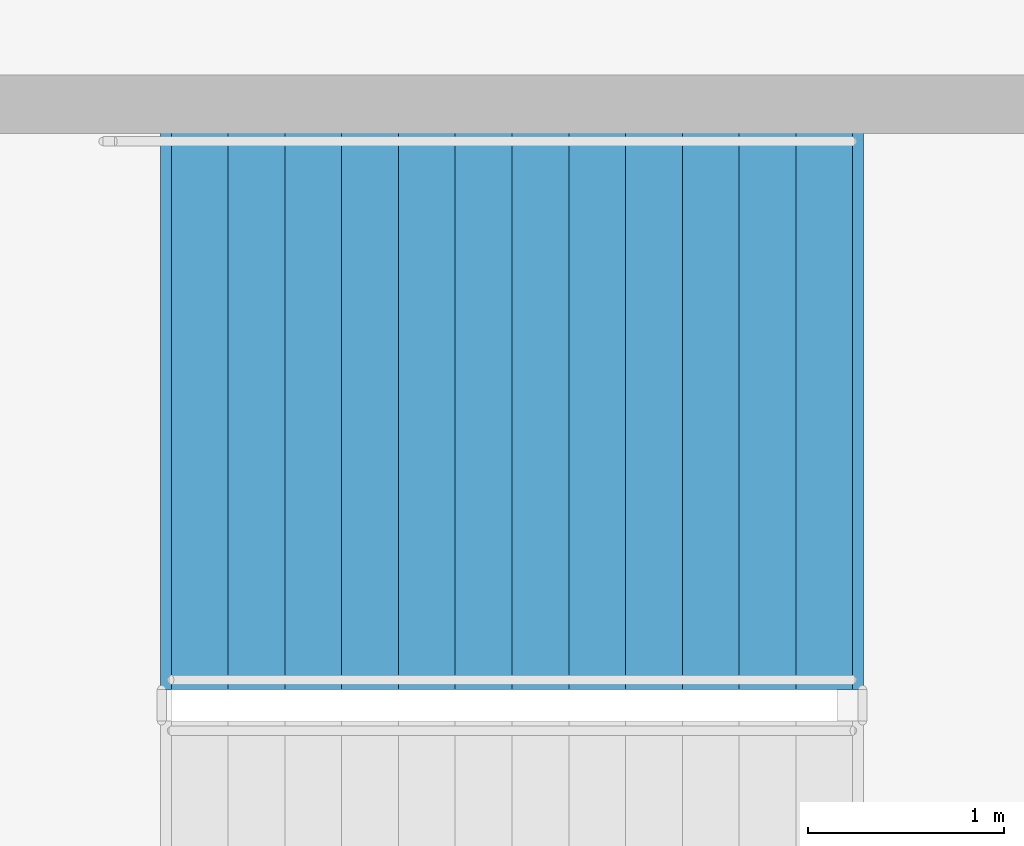
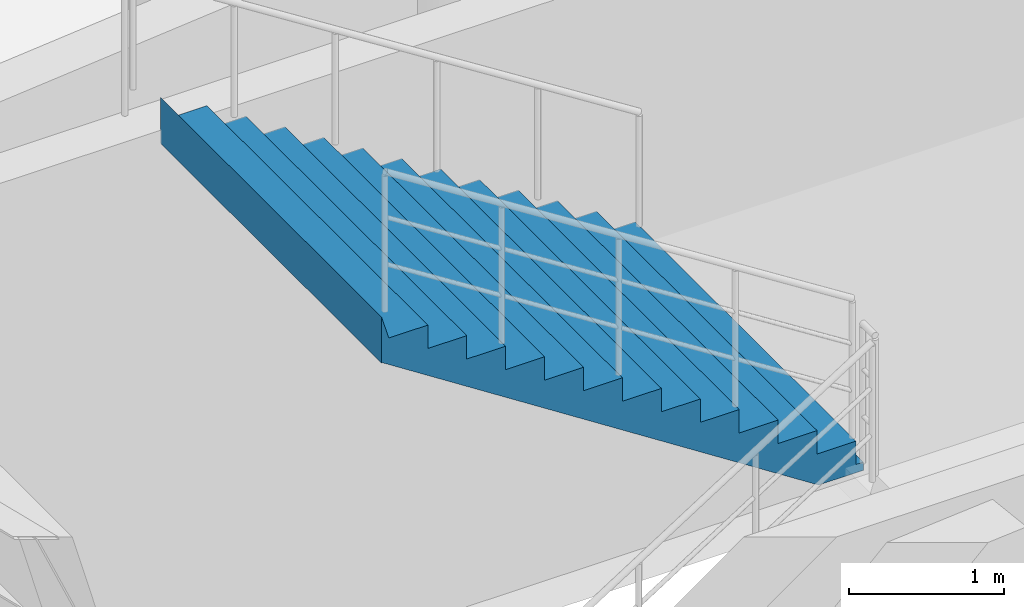
# One storey, part 121 of 144: 1 stair flight, 1 element without a shape of its own.
"""IFC4 building model written with IfcOpenShell, lengths in metres."""

from ifc_helpers import new_model, si_unit, direction, frame, origin, place, context, subcontext, project, spatial, polyline, outline, extrude, material, type_object, element, aggregate, save


model = new_model("IFC4")

# Units and contexts
model_context = context("Model", 3, precision=1e-05, world=origin(), true_north=direction((0.0, 1.0)))
body_context = subcontext(model_context, "Body", "Model", "MODEL_VIEW")
ifc_project = project(units=[si_unit("LENGTHUNIT", "METRE"), si_unit("AREAUNIT", "SQUARE_METRE"), si_unit("VOLUMEUNIT", "CUBIC_METRE"), si_unit("PLANEANGLEUNIT", "RADIAN"), si_unit("MASSUNIT", "GRAM", prefix="KILO")], contexts=[model_context])

# Site, building, storey
site_placement = place(None, origin())
site = spatial("IfcSite", under=ifc_project, at=site_placement, CompositionType="ELEMENT")
building_placement = place(site_placement, origin())
building = spatial("IfcBuilding", under=site, at=building_placement, Name="Cinderbank Siding Concert Hall", CompositionType="ELEMENT")
storey_placement = place(building_placement, frame((0.0, 0.0, 5.39990234375)))
storey = spatial("IfcBuildingStorey", under=building, at=storey_placement, Name="L02", CompositionType="ELEMENT", Elevation=5.39990234375)

# Stair, stair flight
ifc_material = material(Name="Reinforced concrete AS 3600 N50 (50 MPa)", Category="concrete")
stair_type = type_object("IfcStairType", Name="STR-J Dogleg Exit Stair 2850mm", PredefinedType="HALF_TURN_STAIR", material=ifc_material)
stair_placement = place(storey_placement, origin())
stair = element("IfcStair", 1, at=stair_placement, inside=storey, type_object=stair_type, Name="L02 Fire-isolated Exit Stair ST-01", PredefinedType="HALF_TURN_STAIR")
stair_flight_type = type_object("IfcStairFlightType", Name="SFL-J Concrete Stair Flight 2850mm", PredefinedType="STRAIGHT", material=ifc_material)
stair_flight_placement = place(storey_placement, frame((122.6298828125, 63.18505859375, 2.400146484375), z_axis=(0.0, 0.0, 1.0), x_axis=(-1.0, 0.0, 0.0)))
stair_flight = element("IfcStairFlight", 2, at=stair_flight_placement, type_object=stair_flight_type, Name="ST-01 flight 2", NumberOfRisers=13, NumberOfTreads=12, PredefinedType="STRAIGHT", RiserHeight=0.184615385, TreadLength=0.29, context=body_context, shape_type="SweptSolid", body=[
    extrude(outline(polyline([(0.0, 0.0), (0.0, 0.1845703125), (0.2900390625, 0.1845703125), (0.2900390625, 0.369140625), (0.580078125, 0.369140625), (0.580078125, 0.553955078125), (0.8701171875, 0.553955078125), (0.8701171875, 0.738525390625), (1.159912109375, 0.738525390625), (1.159912109375, 0.923095703125), (1.449951171875, 0.923095703125), (1.449951171875, 1.107666015625), (1.739990234375, 1.107666015625), (1.739990234375, 1.292236328125), (2.030029296875, 1.292236328125), (2.030029296875, 1.476806640625), (2.320068359375, 1.476806640625), (2.320068359375, 1.66162109375), (2.610107421875, 1.66162109375), (2.610107421875, 1.84619140625), (2.89990234375, 1.84619140625), (2.89990234375, 2.03076171875), (3.18994140625, 2.03076171875), (3.18994140625, 2.21533203125), (3.47998046875, 2.21533203125), (3.534912109375, 2.39990234375), (3.534912109375, 2.03759765625), (3.53466796875, 2.037841796875), (3.53466796875, 2.0380859375), (3.53466796875, 2.038330078125), (3.53466796875, 2.03857421875), (3.53466796875, 2.038818359375), (3.53466796875, 2.0390625), (3.53466796875, 2.039306640625), (3.53466796875, 2.03955078125), (3.53466796875, 2.039794921875), (3.53466796875, 2.0400390625), (3.53466796875, 2.040283203125), (3.53466796875, 2.04052734375), (3.534423828125, 2.04052734375), (3.534423828125, 2.040283203125), (3.534423828125, 2.0400390625), (3.534423828125, 2.039794921875), (3.534423828125, 2.03955078125), (3.534423828125, 2.039306640625), (3.534423828125, 2.0390625), (3.534423828125, 2.038818359375), (3.534423828125, 2.03857421875), (3.534423828125, 2.038330078125), (3.534423828125, 2.0380859375), (3.534423828125, 2.037841796875), (3.534423828125, 2.03759765625), (3.5341796875, 2.037841796875), (3.5341796875, 2.0380859375), (3.5341796875, 2.038330078125), (3.5341796875, 2.03857421875), (3.5341796875, 2.038818359375), (3.5341796875, 2.0390625), (3.5341796875, 2.039306640625), (3.5341796875, 2.03955078125), (3.5341796875, 2.039794921875), (3.5341796875, 2.0400390625), (3.5341796875, 2.040283203125), (3.5341796875, 2.04052734375), (3.533935546875, 2.04052734375), (3.533935546875, 2.040283203125), (3.533935546875, 2.0400390625), (3.533935546875, 2.039794921875), (3.533935546875, 2.03955078125), (3.533935546875, 2.039306640625), (3.533935546875, 2.0390625), (3.533935546875, 2.038818359375), (3.533935546875, 2.03857421875), (3.533935546875, 2.038330078125), (3.533935546875, 2.0380859375), (3.533935546875, 2.037841796875), (3.533935546875, 2.03759765625), (3.53369140625, 2.037841796875), (3.53369140625, 2.0380859375), (3.53369140625, 2.038330078125), (3.53369140625, 2.03857421875), (3.53369140625, 2.038818359375), (3.53369140625, 2.0390625), (3.53369140625, 2.039306640625), (3.53369140625, 2.03955078125), (3.53369140625, 2.039794921875), (3.53369140625, 2.0400390625), (3.53369140625, 2.040283203125), (3.53369140625, 2.04052734375), (3.533447265625, 2.04052734375), (3.533447265625, 2.040283203125), (3.533447265625, 2.0400390625), (3.533447265625, 2.039794921875), (3.533447265625, 2.03955078125), (3.533447265625, 2.039306640625), (3.533447265625, 2.0390625), (3.533447265625, 2.038818359375), (3.533447265625, 2.03857421875), (3.533447265625, 2.038330078125), (3.533447265625, 2.0380859375), (3.533447265625, 2.037841796875), (3.533447265625, 2.03759765625), (3.533203125, 2.037841796875), (3.533203125, 2.0380859375), (3.533203125, 2.038330078125), (3.533203125, 2.03857421875), (3.533203125, 2.038818359375), (3.533203125, 2.0390625), (3.533203125, 2.039306640625), (3.533203125, 2.03955078125), (3.533203125, 2.039794921875), (3.533203125, 2.0400390625), (3.533203125, 2.040283203125), (3.533203125, 2.04052734375), (3.532958984375, 2.04052734375), (3.532958984375, 2.040283203125), (3.532958984375, 2.0400390625), (3.532958984375, 2.039794921875), (3.532958984375, 2.03955078125), (3.532958984375, 2.039306640625), (3.532958984375, 2.0390625), (3.532958984375, 2.038818359375), (3.532958984375, 2.03857421875), (3.532958984375, 2.038330078125), (3.532958984375, 2.0380859375), (3.532958984375, 2.037841796875), (3.532958984375, 2.03759765625), (3.53271484375, 2.037841796875), (3.53271484375, 2.0380859375), (3.53271484375, 2.038330078125), (3.53271484375, 2.03857421875), (3.53271484375, 2.038818359375), (3.53271484375, 2.0390625), (3.53271484375, 2.039306640625), (3.53271484375, 2.03955078125), (3.53271484375, 2.039794921875), (3.53271484375, 2.0400390625), (3.53271484375, 2.040283203125), (3.53271484375, 2.04052734375), (3.532470703125, 2.04052734375), (3.532470703125, 2.040283203125), (3.532470703125, 2.0400390625), (3.532470703125, 2.039794921875), (3.532470703125, 2.03955078125), (3.532470703125, 2.039306640625), (3.532470703125, 2.0390625), (3.532470703125, 2.038818359375), (3.532470703125, 2.03857421875), (3.532470703125, 2.038330078125), (3.532470703125, 2.0380859375), (3.532470703125, 2.037841796875), (3.532470703125, 2.03759765625), (3.5322265625, 2.037841796875), (3.5322265625, 2.0380859375), (3.5322265625, 2.038330078125), (3.5322265625, 2.03857421875), (3.5322265625, 2.038818359375), (3.5322265625, 2.0390625), (3.5322265625, 2.039306640625), (3.5322265625, 2.03955078125), (3.5322265625, 2.039794921875), (3.5322265625, 2.0400390625), (3.5322265625, 2.040283203125), (3.5322265625, 2.04052734375), (3.531982421875, 2.04052734375), (3.531982421875, 2.040283203125), (3.531982421875, 2.0400390625), (3.531982421875, 2.039794921875), (3.531982421875, 2.03955078125), (3.531982421875, 2.039306640625), (3.531982421875, 2.0390625), (3.531982421875, 2.038818359375), (3.531982421875, 2.03857421875), (3.531982421875, 2.038330078125), (3.531982421875, 2.0380859375), (3.531982421875, 2.037841796875), (3.531982421875, 2.03759765625), (3.53173828125, 2.037841796875), (3.53173828125, 2.0380859375), (3.53173828125, 2.038330078125), (3.53173828125, 2.03857421875), (3.53173828125, 2.038818359375), (3.53173828125, 2.0390625), (3.53173828125, 2.039306640625), (3.53173828125, 2.03955078125), (3.53173828125, 2.039794921875), (3.53173828125, 2.0400390625), (3.53173828125, 2.040283203125), (3.53173828125, 2.04052734375), (3.531494140625, 2.04052734375), (3.531494140625, 2.040283203125), (3.531494140625, 2.0400390625), (3.531494140625, 2.039794921875), (3.531494140625, 2.03955078125), (3.531494140625, 2.039306640625), (3.531494140625, 2.0390625), (3.531494140625, 2.038818359375), (3.531494140625, 2.03857421875), (3.531494140625, 2.038330078125), (3.531494140625, 2.0380859375), (3.531494140625, 2.037841796875), (3.531494140625, 2.03759765625), (3.53125, 2.037841796875), (3.53125, 2.0380859375), (3.53125, 2.038330078125), (3.53125, 2.03857421875), (3.53125, 2.038818359375), (3.53125, 2.0390625), (3.53125, 2.039306640625), (3.53125, 2.03955078125), (3.53125, 2.039794921875), (3.53125, 2.0400390625), (3.53125, 2.040283203125), (3.53125, 2.04052734375), (3.531005859375, 2.04052734375), (3.531005859375, 2.040283203125), (3.531005859375, 2.0400390625), (3.531005859375, 2.039794921875), (3.531005859375, 2.03955078125), (3.531005859375, 2.039306640625), (3.531005859375, 2.0390625), (3.531005859375, 2.038818359375), (3.531005859375, 2.03857421875), (3.531005859375, 2.038330078125), (3.531005859375, 2.0380859375), (3.531005859375, 2.037841796875), (3.531005859375, 2.03759765625), (3.53076171875, 2.037841796875), (3.53076171875, 2.0380859375), (3.53076171875, 2.038330078125), (3.53076171875, 2.03857421875), (3.53076171875, 2.038818359375), (3.53076171875, 2.0390625), (3.53076171875, 2.039306640625), (3.53076171875, 2.03955078125), (3.53076171875, 2.039794921875), (3.53076171875, 2.0400390625), (3.53076171875, 2.040283203125), (3.53076171875, 2.04052734375), (3.530517578125, 2.04052734375), (3.530517578125, 2.040283203125), (3.530517578125, 2.0400390625), (3.530517578125, 2.039794921875), (3.530517578125, 2.03955078125), (3.530517578125, 2.039306640625), (3.530517578125, 2.0390625), (3.530517578125, 2.038818359375), (3.530517578125, 2.03857421875), (3.530517578125, 2.038330078125), (3.530517578125, 2.0380859375), (3.530517578125, 2.037841796875), (3.530517578125, 2.03759765625), (3.5302734375, 2.037841796875), (3.5302734375, 2.0380859375), (3.5302734375, 2.038330078125), (3.5302734375, 2.03857421875), (3.5302734375, 2.038818359375), (3.5302734375, 2.0390625), (3.5302734375, 2.039306640625), (3.5302734375, 2.03955078125), (3.5302734375, 2.039794921875), (3.5302734375, 2.0400390625), (3.5302734375, 2.040283203125), (3.5302734375, 2.04052734375), (3.530029296875, 2.04052734375), (3.530029296875, 2.040283203125), (3.530029296875, 2.0400390625), (3.530029296875, 2.039794921875), (3.530029296875, 2.03955078125), (3.530029296875, 2.039306640625), (3.530029296875, 2.0390625), (3.530029296875, 2.038818359375), (3.530029296875, 2.03857421875), (3.530029296875, 2.038330078125), (3.530029296875, 2.0380859375), (3.530029296875, 2.037841796875), (3.530029296875, 2.03759765625), (3.52978515625, 2.037841796875), (3.52978515625, 2.0380859375), (3.52978515625, 2.038330078125), (3.52978515625, 2.03857421875), (3.52978515625, 2.038818359375), (3.52978515625, 2.0390625), (3.52978515625, 2.039306640625), (3.52978515625, 2.03955078125), (3.52978515625, 2.039794921875), (3.52978515625, 2.0400390625), (3.52978515625, 2.040283203125), (3.52978515625, 2.04052734375), (3.529541015625, 2.04052734375), (3.529541015625, 2.040283203125), (3.529541015625, 2.0400390625), (3.529541015625, 2.039794921875), (3.529541015625, 2.03955078125), (3.529541015625, 2.039306640625), (3.529541015625, 2.0390625), (3.529541015625, 2.038818359375), (3.529541015625, 2.03857421875), (3.529541015625, 2.038330078125), (3.529541015625, 2.0380859375), (3.529541015625, 2.037841796875), (3.529541015625, 2.03759765625), (3.529296875, 2.037841796875), (3.529296875, 2.0380859375), (3.529296875, 2.038330078125), (3.529296875, 2.03857421875), (3.529296875, 2.038818359375), (3.529296875, 2.0390625), (3.529296875, 2.039306640625), (3.529296875, 2.03955078125), (3.529296875, 2.039794921875), (3.529296875, 2.0400390625), (3.529296875, 2.040283203125), (3.529296875, 2.04052734375), (3.529052734375, 2.04052734375), (3.529052734375, 2.040283203125), (3.529052734375, 2.0400390625), (3.529052734375, 2.039794921875), (3.529052734375, 2.03955078125), (3.529052734375, 2.039306640625), (3.529052734375, 2.0390625), (3.529052734375, 2.038818359375), (3.529052734375, 2.03857421875), (3.529052734375, 2.038330078125), (3.529052734375, 2.0380859375), (3.529052734375, 2.037841796875), (3.529052734375, 2.03759765625), (3.52880859375, 2.037841796875), (3.52880859375, 2.0380859375), (3.52880859375, 2.038330078125), (3.52880859375, 2.03857421875), (3.52880859375, 2.038818359375), (3.52880859375, 2.0390625), (3.52880859375, 2.039306640625), (3.52880859375, 2.03955078125), (3.52880859375, 2.039794921875), (3.52880859375, 2.0400390625), (3.52880859375, 2.040283203125), (3.52880859375, 2.04052734375), (3.528564453125, 2.04052734375), (3.528564453125, 2.040283203125), (3.528564453125, 2.0400390625), (3.528564453125, 2.039794921875), (3.528564453125, 2.03955078125), (3.528564453125, 2.039306640625), (3.528564453125, 2.0390625), (3.528564453125, 2.038818359375), (3.528564453125, 2.03857421875), (3.528564453125, 2.038330078125), (3.528564453125, 2.0380859375), (3.528564453125, 2.037841796875), (3.528564453125, 2.03759765625), (0.279052734375, -0.06396484375), (-0.048583984375, -0.063720703125), (-0.048583984375, -0.0634765625), (-0.048583984375, -0.063232421875), (-0.048583984375, -0.06298828125), (-0.048583984375, -0.062744140625), (-0.048583984375, -0.0625), (-0.048583984375, -0.062255859375), (-0.048583984375, -0.06201171875), (-0.048583984375, -0.061767578125), (-0.048583984375, -0.0615234375), (-0.048583984375, -0.061279296875), (-0.048583984375, -0.06103515625), (-0.048828125, -0.06103515625), (-0.048828125, -0.061279296875), (-0.048828125, -0.0615234375), (-0.048828125, -0.061767578125), (-0.048828125, -0.06201171875), (-0.048828125, -0.062255859375), (-0.048828125, -0.0625), (-0.048828125, -0.062744140625), (-0.048828125, -0.06298828125), (-0.048828125, -0.063232421875), (-0.048828125, -0.0634765625), (-0.048828125, -0.063720703125), (-0.048828125, -0.06396484375), (-0.049072265625, -0.063720703125), (-0.049072265625, -0.0634765625), (-0.049072265625, -0.063232421875), (-0.049072265625, -0.06298828125), (-0.049072265625, -0.062744140625), (-0.049072265625, -0.0625), (-0.049072265625, -0.062255859375), (-0.049072265625, -0.06201171875), (-0.049072265625, -0.061767578125), (-0.049072265625, -0.0615234375), (-0.049072265625, -0.061279296875), (-0.049072265625, -0.06103515625), (-0.04931640625, -0.06103515625), (-0.04931640625, -0.061279296875), (-0.04931640625, -0.0615234375), (-0.04931640625, -0.061767578125), (-0.04931640625, -0.06201171875), (-0.04931640625, -0.062255859375), (-0.04931640625, -0.0625), (-0.04931640625, -0.062744140625), (-0.04931640625, -0.06298828125), (-0.04931640625, -0.063232421875), (-0.04931640625, -0.0634765625), (-0.04931640625, -0.063720703125), (-0.04931640625, -0.06396484375), (-0.049560546875, -0.063720703125), (-0.049560546875, -0.0634765625), (-0.049560546875, -0.063232421875), (-0.049560546875, -0.06298828125), (-0.049560546875, -0.062744140625), (-0.049560546875, -0.0625), (-0.049560546875, -0.062255859375), (-0.049560546875, -0.06201171875), (-0.049560546875, -0.061767578125), (-0.049560546875, -0.0615234375), (-0.049560546875, -0.061279296875), (-0.049560546875, -0.06103515625), (-0.0498046875, -0.06103515625), (-0.0498046875, -0.061279296875), (-0.0498046875, -0.0615234375), (-0.0498046875, -0.061767578125), (-0.0498046875, -0.06201171875), (-0.0498046875, -0.062255859375), (-0.0498046875, -0.0625), (-0.0498046875, -0.062744140625), (-0.0498046875, -0.06298828125), (-0.0498046875, -0.063232421875), (-0.0498046875, -0.0634765625), (-0.0498046875, -0.063720703125), (-0.0498046875, -0.06396484375), (-0.050048828125, -0.063720703125), (-0.050048828125, -0.0634765625), (-0.050048828125, -0.063232421875), (-0.050048828125, -0.06298828125), (-0.050048828125, -0.062744140625), (-0.050048828125, -0.0625), (-0.050048828125, -0.062255859375), (-0.050048828125, -0.06201171875), (-0.050048828125, -0.061767578125), (-0.050048828125, -0.0615234375), (-0.050048828125, -0.061279296875), (-0.050048828125, -0.06103515625), (-0.05029296875, -0.06103515625), (-0.05029296875, -0.061279296875), (-0.05029296875, -0.0615234375), (-0.05029296875, -0.061767578125), (-0.05029296875, -0.06201171875), (-0.05029296875, -0.062255859375), (-0.05029296875, -0.0625), (-0.05029296875, -0.062744140625), (-0.05029296875, -0.06298828125), (-0.05029296875, -0.063232421875), (-0.05029296875, -0.0634765625), (-0.05029296875, -0.063720703125), (-0.05029296875, -0.06396484375), (-0.050537109375, -0.063720703125), (-0.050537109375, -0.0634765625), (-0.050537109375, -0.063232421875), (-0.050537109375, -0.06298828125), (-0.050537109375, -0.062744140625), (-0.050537109375, -0.0625), (-0.050537109375, -0.062255859375), (-0.050537109375, -0.06201171875), (-0.050537109375, -0.061767578125), (-0.050537109375, -0.0615234375), (-0.050537109375, -0.061279296875), (-0.050537109375, -0.06103515625), (-0.05078125, -0.06103515625), (-0.05078125, -0.061279296875), (-0.05078125, -0.0615234375), (-0.05078125, -0.061767578125), (-0.05078125, -0.06201171875), (-0.05078125, -0.062255859375), (-0.05078125, -0.0625), (-0.05078125, -0.062744140625), (-0.05078125, -0.06298828125), (-0.05078125, -0.063232421875), (-0.05078125, -0.0634765625), (-0.05078125, -0.063720703125), (-0.05078125, -0.06396484375), (-0.051025390625, -0.063720703125), (-0.051025390625, -0.0634765625), (-0.051025390625, -0.063232421875), (-0.051025390625, -0.06298828125), (-0.051025390625, -0.062744140625), (-0.051025390625, -0.0625), (-0.051025390625, -0.062255859375), (-0.051025390625, -0.06201171875), (-0.051025390625, -0.061767578125), (-0.051025390625, -0.0615234375), (-0.051025390625, -0.061279296875), (-0.051025390625, -0.06103515625), (-0.05126953125, -0.06103515625), (-0.05126953125, -0.061279296875), (-0.05126953125, -0.0615234375), (-0.05126953125, -0.061767578125), (-0.05126953125, -0.06201171875), (-0.05126953125, -0.062255859375), (-0.05126953125, -0.0625), (-0.05126953125, -0.062744140625), (-0.05126953125, -0.06298828125), (-0.05126953125, -0.063232421875), (-0.05126953125, -0.0634765625), (-0.05126953125, -0.063720703125), (-0.05126953125, -0.06396484375), (-0.051513671875, -0.063720703125), (-0.051513671875, -0.0634765625), (-0.051513671875, -0.063232421875), (-0.051513671875, -0.06298828125), (-0.051513671875, -0.062744140625), (-0.051513671875, -0.0625), (-0.051513671875, -0.062255859375), (-0.051513671875, -0.06201171875), (-0.051513671875, -0.061767578125), (-0.051513671875, -0.0615234375), (-0.051513671875, -0.061279296875), (-0.051513671875, -0.06103515625), (-0.0517578125, -0.06103515625), (-0.0517578125, -0.061279296875), (-0.0517578125, -0.0615234375), (-0.0517578125, -0.061767578125), (-0.0517578125, -0.06201171875), (-0.0517578125, -0.062255859375), (-0.0517578125, -0.0625), (-0.0517578125, -0.062744140625), (-0.0517578125, -0.06298828125), (-0.0517578125, -0.063232421875), (-0.0517578125, -0.0634765625), (-0.0517578125, -0.063720703125), (-0.0517578125, -0.06396484375), (-0.052001953125, -0.063720703125), (-0.052001953125, -0.0634765625), (-0.052001953125, -0.063232421875), (-0.052001953125, -0.06298828125), (-0.052001953125, -0.062744140625), (-0.052001953125, -0.0625), (-0.052001953125, -0.062255859375), (-0.052001953125, -0.06201171875), (-0.052001953125, -0.061767578125), (-0.052001953125, -0.0615234375), (-0.052001953125, -0.061279296875), (-0.052001953125, -0.06103515625), (-0.05224609375, -0.06103515625), (-0.05224609375, -0.061279296875), (-0.05224609375, -0.0615234375), (-0.05224609375, -0.061767578125), (-0.05224609375, -0.06201171875), (-0.05224609375, -0.062255859375), (-0.05224609375, -0.0625), (-0.05224609375, -0.062744140625), (-0.05224609375, -0.06298828125), (-0.05224609375, -0.063232421875), (-0.05224609375, -0.0634765625), (-0.05224609375, -0.063720703125), (-0.05224609375, -0.06396484375), (-0.052490234375, -0.063720703125), (-0.052490234375, -0.0634765625), (-0.052490234375, -0.063232421875), (-0.052490234375, -0.06298828125), (-0.052490234375, -0.062744140625), (-0.052490234375, -0.0625), (-0.052490234375, -0.062255859375), (-0.052490234375, -0.06201171875), (-0.052490234375, -0.061767578125), (-0.052490234375, -0.0615234375), (-0.052490234375, -0.061279296875), (-0.052490234375, -0.06103515625), (-0.052734375, -0.06103515625), (-0.052734375, -0.061279296875), (-0.052734375, -0.0615234375), (-0.052734375, -0.061767578125), (-0.052734375, -0.06201171875), (-0.052734375, -0.062255859375), (-0.052734375, -0.0625), (-0.052734375, -0.062744140625), (-0.052734375, -0.06298828125), (-0.052734375, -0.063232421875), (-0.052734375, -0.0634765625), (-0.052734375, -0.063720703125), (-0.052734375, -0.06396484375), (-0.052978515625, -0.063720703125), (-0.052978515625, -0.0634765625), (-0.052978515625, -0.063232421875), (-0.052978515625, -0.06298828125), (-0.052978515625, -0.062744140625), (-0.052978515625, -0.0625), (-0.052978515625, -0.062255859375), (-0.052978515625, -0.06201171875), (-0.052978515625, -0.061767578125), (-0.052978515625, -0.0615234375), (-0.052978515625, -0.061279296875), (-0.052978515625, -0.06103515625), (-0.05322265625, -0.06103515625), (-0.05322265625, -0.061279296875), (-0.05322265625, -0.0615234375), (-0.05322265625, -0.061767578125), (-0.05322265625, -0.06201171875), (-0.05322265625, -0.062255859375), (-0.05322265625, -0.0625), (-0.05322265625, -0.062744140625), (-0.05322265625, -0.06298828125), (-0.05322265625, -0.063232421875), (-0.05322265625, -0.0634765625), (-0.05322265625, -0.063720703125), (-0.05322265625, -0.06396484375), (-0.053466796875, -0.063720703125), (-0.053466796875, -0.0634765625), (-0.053466796875, -0.063232421875), (-0.053466796875, -0.06298828125), (-0.053466796875, -0.062744140625), (-0.053466796875, -0.0625), (-0.053466796875, -0.062255859375), (-0.053466796875, -0.06201171875), (-0.053466796875, -0.061767578125), (-0.053466796875, -0.0615234375), (-0.053466796875, -0.061279296875), (-0.053466796875, -0.06103515625), (-0.0537109375, -0.06103515625), (-0.0537109375, -0.061279296875), (-0.0537109375, -0.0615234375), (-0.0537109375, -0.061767578125), (-0.0537109375, -0.06201171875), (-0.0537109375, -0.062255859375), (-0.0537109375, -0.0625), (-0.0537109375, -0.062744140625), (-0.0537109375, -0.06298828125), (-0.0537109375, -0.063232421875), (-0.0537109375, -0.0634765625), (-0.0537109375, -0.063720703125), (-0.0537109375, -0.06396484375), (-0.053955078125, -0.063720703125), (-0.053955078125, -0.0634765625), (-0.053955078125, -0.063232421875), (-0.053955078125, -0.06298828125), (-0.053955078125, -0.062744140625), (-0.053955078125, -0.0625), (-0.053955078125, -0.062255859375), (-0.053955078125, -0.06201171875), (-0.053955078125, -0.061767578125), (-0.053955078125, -0.0615234375), (-0.053955078125, -0.061279296875), (-0.053955078125, -0.06103515625), (-0.05419921875, -0.06103515625), (-0.05419921875, -0.061279296875), (-0.05419921875, -0.0615234375), (-0.05419921875, -0.061767578125), (-0.05419921875, -0.06201171875), (-0.05419921875, -0.062255859375), (-0.05419921875, -0.0625), (-0.05419921875, -0.062744140625), (-0.05419921875, -0.06298828125), (-0.05419921875, -0.063232421875), (-0.05419921875, -0.0634765625), (-0.05419921875, -0.063720703125), (-0.05419921875, -0.06396484375), (-0.054443359375, -0.063720703125), (-0.054443359375, -0.0634765625), (-0.054443359375, -0.063232421875), (-0.054443359375, -0.06298828125), (-0.054443359375, -0.062744140625), (-0.054443359375, -0.0625), (-0.054443359375, -0.062255859375), (-0.054443359375, -0.06201171875), (-0.054443359375, -0.061767578125), (-0.054443359375, -0.0615234375), (-0.054443359375, -0.061279296875), (-0.054443359375, -0.06103515625), (-0.0546875, -0.06103515625), (-0.0546875, -0.061279296875), (-0.0546875, -0.0615234375), (-0.0546875, -0.061767578125), (-0.0546875, -0.06201171875), (-0.0546875, -0.062255859375), (-0.0546875, -0.0625), (-0.0546875, -0.062744140625), (-0.0546875, -0.06298828125), (-0.0546875, -0.063232421875), (-0.0546875, -0.0634765625), (-0.0546875, -0.063720703125), (-0.0546875, -0.06396484375), (-0.054931640625, -0.06396484375), (-0.054931640625, 0.0), (0.0, 0.0)])), frame((0.0, 1.425048828125, 0.0), z_axis=(0.0, -1.0, 0.0), x_axis=(1.0, 0.0, 0.0)), (0.0, 0.0, 1.0), 2.85009765625),
])
aggregate(stair, [stair_flight])

save(model, "model.ifc")
